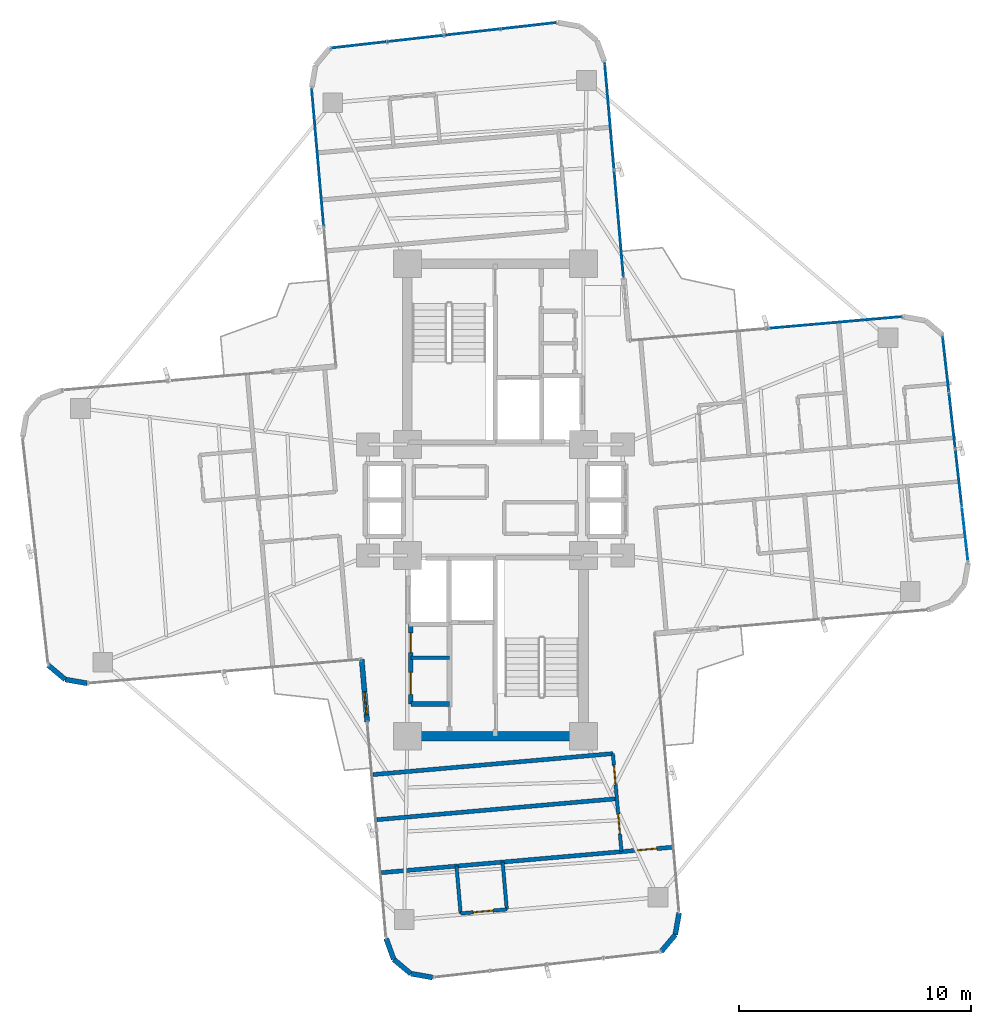
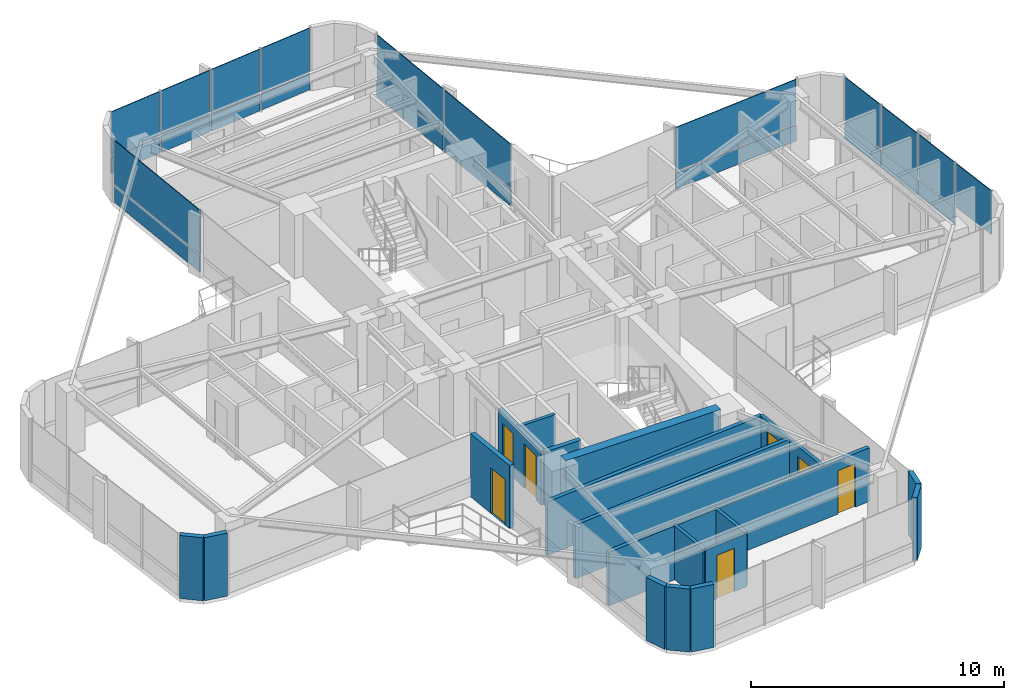
# One storey, part 20 of 24: 23 plates, 19 walls, 7 doors, 7 openings, 5 elements without a shape of their own.
"""IFC4 building model written with IfcOpenShell, lengths in metres."""

from ifc_helpers import new_model, si_unit, direction, frame, frame_2d, origin, origin_2d, place, context, subcontext, project, spatial, rectangle, extrude, source, transform, mapped, material, layer, layer_set, type_object, element, fill, aggregate, save


model = new_model("IFC4")

# Units and contexts
model_context = context("Model", 3, precision=1e-05, world=origin(), true_north=direction((0.0, 1.0)))
body_context = subcontext(model_context, "Body", "Model", "MODEL_VIEW")
ifc_project = project(units=[si_unit("LENGTHUNIT", "METRE"), si_unit("AREAUNIT", "SQUARE_METRE"), si_unit("VOLUMEUNIT", "CUBIC_METRE"), si_unit("PLANEANGLEUNIT", "RADIAN"), si_unit("MASSUNIT", "GRAM", prefix="KILO")], contexts=[model_context])

# Site, building, storey
site_placement = place(None, origin())
site = spatial("IfcSite", under=ifc_project, at=site_placement, CompositionType="ELEMENT")
building_placement = place(site_placement, origin())
building = spatial("IfcBuilding", under=site, at=building_placement, Name="Sahyath Konkavel Grand Hotel", CompositionType="ELEMENT")
storey_placement = place(building_placement, frame((0.0, 0.0, 167.35009765625)))
storey = spatial("IfcBuildingStorey", under=building, at=storey_placement, Name="L46", CompositionType="ELEMENT", Elevation=167.35009765625)

# Curtain wall, plates
ifc_material_1 = material(Name="Anodised Bronze Aluminium & Low-E Glazing", Category="aluminium")
curtain_wall_type = type_object("IfcCurtainWallType", Name="CW-ZONE3", PredefinedType="NOTDEFINED", material=ifc_material_1)
curtain_wall_1_placement = place(storey_placement, origin())
curtain_wall_1 = element("IfcCurtainWall", 1, at=curtain_wall_1_placement, inside=storey, type_object=curtain_wall_type, Name="L46 Unitised Curtain Wall F4", PredefinedType="NOTDEFINED")
ifc_material_2 = material(Name="Warm Buff Sandstone Cladding", Category="masonry")
ifc_layer_1 = layer(ifc_material_2, 0.074951171875)
ifc_layer_set_1 = layer_set([ifc_layer_1], Name="Warm Buff Sandstone Cladding")
plate_type_1 = type_object("IfcPlateType", Name="PNL-SPANDREL-STONE", PredefinedType="SHEET", material=ifc_layer_set_1)
shared_shape_1 = source(origin(), body_context, "Body", "SweptSolid", [
    extrude(rectangle(XDim=2.382080078125, YDim=0.074951171875, at=origin_2d()), origin(), (0.0, 0.0, 1.0), 0.77001953125),
])
plate_1_placement = place(storey_placement, frame((19.99755859375, 0.978515625, 0.039794921875), z_axis=(0.0, 0.0, 1.0), x_axis=(-0.111989252568, 0.993709417943, 0.0)))
plate_1 = element("IfcPlate", 2, at=plate_1_placement, type_object=plate_type_1, Name="L46 Sandstone Relief Spandrel Panel F4-1", PredefinedType="SHEET", context=body_context, shape_type="MappedRepresentation", body=[
    mapped(shared_shape_1, transform((0.0, 0.0, 0.0), scale=1.0)),
])
plate_2_placement = place(storey_placement, frame((19.7216796875, 3.425048828125, 0.039794921875), z_axis=(0.0, 0.0, 1.0), x_axis=(-0.111989252568, 0.993709417943, 0.0)))
plate_2 = element("IfcPlate", 3, at=plate_2_placement, type_object=plate_type_1, Name="L46 Sandstone Relief Spandrel Panel F4-2", PredefinedType="SHEET", context=body_context, shape_type="MappedRepresentation", body=[
    mapped(shared_shape_1, transform((0.0, 0.0, 0.0), scale=1.0)),
])
plate_3_placement = place(storey_placement, frame((19.446044921875, 5.87158203125, 0.039794921875), z_axis=(0.0, 0.0, 1.0), x_axis=(-0.111989252568, 0.993709417943, 0.0)))
plate_3 = element("IfcPlate", 4, at=plate_3_placement, type_object=plate_type_1, Name="L46 Sandstone Relief Spandrel Panel F4-3", PredefinedType="SHEET", context=body_context, shape_type="MappedRepresentation", body=[
    mapped(shared_shape_1, transform((0.0, 0.0, 0.0), scale=1.0)),
])

curtain_wall_2_placement = place(storey_placement, origin())
curtain_wall_2 = element("IfcCurtainWall", 5, at=curtain_wall_2_placement, inside=storey, type_object=curtain_wall_type, Name="L46 Unitised Curtain Wall F12", PredefinedType="NOTDEFINED")
plate_4_placement = place(storey_placement, frame((1.45068359375, 20.47265625, 0.039794921875), z_axis=(0.0, 0.0, 1.0), x_axis=(-0.993707463211, -0.112006596052, 0.0)))
plate_4 = element("IfcPlate", 6, at=plate_4_placement, type_object=plate_type_1, Name="L46 Sandstone Relief Spandrel Panel F12-0", PredefinedType="SHEET", context=body_context, shape_type="MappedRepresentation", body=[
    mapped(shared_shape_1, transform((0.0, 0.0, 0.0), scale=1.0)),
])
plate_5_placement = place(storey_placement, frame((-0.995849609375, 20.197021484375, 0.039794921875), z_axis=(0.0, 0.0, 1.0), x_axis=(-0.993707463211, -0.112006596052, 0.0)))
plate_5 = element("IfcPlate", 7, at=plate_5_placement, type_object=plate_type_1, Name="L46 Sandstone Relief Spandrel Panel F12-1", PredefinedType="SHEET", context=body_context, shape_type="MappedRepresentation", body=[
    mapped(shared_shape_1, transform((0.0, 0.0, 0.0), scale=1.0)),
])
plate_6_placement = place(storey_placement, frame((-3.4423828125, 19.921142578125, 0.039794921875), z_axis=(0.0, 0.0, 1.0), x_axis=(-0.993707463211, -0.112006596052, 0.0)))
plate_6 = element("IfcPlate", 8, at=plate_6_placement, type_object=plate_type_1, Name="L46 Sandstone Relief Spandrel Panel F12-2", PredefinedType="SHEET", context=body_context, shape_type="MappedRepresentation", body=[
    mapped(shared_shape_1, transform((0.0, 0.0, 0.0), scale=1.0)),
])
plate_7_placement = place(storey_placement, frame((-5.888916015625, 19.6455078125, 0.039794921875), z_axis=(0.0, 0.0, 1.0), x_axis=(-0.993707463211, -0.112006596052, 0.0)))
plate_7 = element("IfcPlate", 9, at=plate_7_placement, type_object=plate_type_1, Name="L46 Sandstone Relief Spandrel Panel F12-3", PredefinedType="SHEET", context=body_context, shape_type="MappedRepresentation", body=[
    mapped(shared_shape_1, transform((0.0, 0.0, 0.0), scale=1.0)),
])

# Curtain wall, plate
curtain_wall_3_placement = place(storey_placement, origin())
curtain_wall_3 = element("IfcCurtainWall", 10, at=curtain_wall_3_placement, inside=storey, type_object=curtain_wall_type, Name="L46 Unitised Curtain Wall F7", PredefinedType="NOTDEFINED")
shared_shape_2 = source(origin(), body_context, "Body", "SweptSolid", [
    extrude(rectangle(XDim=5.830078125, YDim=0.074951171875, at=origin_2d()), origin(), (0.0, 0.0, 1.0), 0.77001953125),
])
plate_8_placement = place(storey_placement, frame((14.6435546875, 7.655517578125, 0.039794921875), z_axis=(0.0, 0.0, 1.0), x_axis=(-0.996194698092, -0.087155742748, 0.0)))
plate_8 = element("IfcPlate", 11, at=plate_8_placement, type_object=plate_type_1, Name="L46 Sandstone Relief Spandrel Panel F7-0", PredefinedType="SHEET", context=body_context, shape_type="MappedRepresentation", body=[
    mapped(shared_shape_2, transform((0.0, 0.0, 0.0), scale=1.0)),
])

# Curtain wall, plates
curtain_wall_4_placement = place(storey_placement, origin())
curtain_wall_4 = element("IfcCurtainWall", 12, at=curtain_wall_4_placement, inside=storey, type_object=curtain_wall_type, Name="L46 Unitised Curtain Wall F8", PredefinedType="NOTDEFINED")
shared_shape_3 = source(origin(), body_context, "Body", "SweptSolid", [
    extrude(rectangle(XDim=4.580078125, YDim=0.074951171875, at=origin_2d()), origin(), (0.0, 0.0, 1.0), 0.77001953125),
])
plate_9_placement = place(storey_placement, frame((5.33056640625, 11.929931640625, 0.039794921875), z_axis=(0.0, 0.0, 1.0), x_axis=(-0.087155742748, 0.996194698092, 0.0)))
plate_9 = element("IfcPlate", 13, at=plate_9_placement, type_object=plate_type_1, Name="L46 Sandstone Relief Spandrel Panel F8-0", PredefinedType="SHEET", context=body_context, shape_type="MappedRepresentation", body=[
    mapped(shared_shape_3, transform((0.0, 0.0, 0.0), scale=1.0)),
])
plate_10_placement = place(storey_placement, frame((4.92431640625, 16.572265625, 0.039794921875), z_axis=(0.0, 0.0, 1.0), x_axis=(-0.087155742748, 0.996194698092, 0.0)))
plate_10 = element("IfcPlate", 14, at=plate_10_placement, type_object=plate_type_1, Name="L46 Sandstone Relief Spandrel Panel F8-1", PredefinedType="SHEET", context=body_context, shape_type="MappedRepresentation", body=[
    mapped(shared_shape_3, transform((0.0, 0.0, 0.0), scale=1.0)),
])

# Curtain wall, plate
curtain_wall_5_placement = place(storey_placement, origin())
curtain_wall_5 = element("IfcCurtainWall", 15, at=curtain_wall_5_placement, inside=storey, type_object=curtain_wall_type, Name="L46 Unitised Curtain Wall F15", PredefinedType="NOTDEFINED")
shared_shape_4 = source(origin(), body_context, "Body", "SweptSolid", [
    extrude(rectangle(XDim=5.929931640625, YDim=0.074951171875, at=origin_2d()), origin(), (0.0, 0.0, 1.0), 0.77001953125),
])
plate_11_placement = place(storey_placement, frame((-7.66845703125, 14.79296875, 0.039794921875), z_axis=(0.0, 0.0, 1.0), x_axis=(0.087155742748, -0.996194698092, 0.0)))
plate_11 = element("IfcPlate", 16, at=plate_11_placement, type_object=plate_type_1, Name="L46 Sandstone Relief Spandrel Panel F15-0", PredefinedType="SHEET", context=body_context, shape_type="MappedRepresentation", body=[
    mapped(shared_shape_4, transform((0.0, 0.0, 0.0), scale=1.0)),
])

# Plate
ifc_material_3 = material(Name="Low-E Solar Control Double Glazing", Category="glass")
ifc_layer_2 = layer(ifc_material_3, 0.035888671875)
ifc_layer_set_2 = layer_set([ifc_layer_2], Name="Low-E Solar Control Double Glazing")
plate_type_2 = type_object("IfcPlateType", Name="PNL-VISION-LOWE", PredefinedType="CURTAIN_PANEL", material=ifc_layer_set_2)
shared_shape_5 = source(origin(), body_context, "Body", "SweptSolid", [
    extrude(rectangle(XDim=2.382080078125, YDim=0.035888671875, at=origin_2d()), origin(), (0.0, 0.0, 1.0), 2.1201171875),
])
plate_12_placement = place(storey_placement, frame((20.2734375, -1.468017578125, 0.889892578125), z_axis=(0.0, 0.0, 1.0), x_axis=(-0.111989252568, 0.993709417943, 0.0)))
plate_12 = element("IfcPlate", 17, at=plate_12_placement, type_object=plate_type_2, Name="L46 Low-E Vision Glazing Panel F4-0", PredefinedType="CURTAIN_PANEL", context=body_context, shape_type="MappedRepresentation", body=[
    mapped(shared_shape_5, transform((0.0, 0.0, 0.0), scale=1.0)),
])

plate_13_placement = place(storey_placement, frame((19.99755859375, 0.978515625, 0.889892578125), z_axis=(0.0, 0.0, 1.0), x_axis=(-0.111989252568, 0.993709417943, 0.0)))
plate_13 = element("IfcPlate", 18, at=plate_13_placement, type_object=plate_type_2, Name="L46 Low-E Vision Glazing Panel F4-1", PredefinedType="CURTAIN_PANEL", context=body_context, shape_type="MappedRepresentation", body=[
    mapped(shared_shape_5, transform((0.0, 0.0, 0.0), scale=1.0)),
])

plate_14_placement = place(storey_placement, frame((19.7216796875, 3.425048828125, 0.889892578125), z_axis=(0.0, 0.0, 1.0), x_axis=(-0.111989252568, 0.993709417943, 0.0)))
plate_14 = element("IfcPlate", 19, at=plate_14_placement, type_object=plate_type_2, Name="L46 Low-E Vision Glazing Panel F4-2", PredefinedType="CURTAIN_PANEL", context=body_context, shape_type="MappedRepresentation", body=[
    mapped(shared_shape_5, transform((0.0, 0.0, 0.0), scale=1.0)),
])

plate_15_placement = place(storey_placement, frame((19.446044921875, 5.87158203125, 0.889892578125), z_axis=(0.0, 0.0, 1.0), x_axis=(-0.111989252568, 0.993709417943, 0.0)))
plate_15 = element("IfcPlate", 20, at=plate_15_placement, type_object=plate_type_2, Name="L46 Low-E Vision Glazing Panel F4-3", PredefinedType="CURTAIN_PANEL", context=body_context, shape_type="MappedRepresentation", body=[
    mapped(shared_shape_5, transform((0.0, 0.0, 0.0), scale=1.0)),
])

aggregate(curtain_wall_1, [plate_12, plate_1, plate_13, plate_2, plate_14, plate_3, plate_15])

plate_16_placement = place(storey_placement, frame((1.45068359375, 20.47265625, 0.889892578125), z_axis=(0.0, 0.0, 1.0), x_axis=(-0.993707463211, -0.112006596052, 0.0)))
plate_16 = element("IfcPlate", 21, at=plate_16_placement, type_object=plate_type_2, Name="L46 Low-E Vision Glazing Panel F12-0", PredefinedType="CURTAIN_PANEL", context=body_context, shape_type="MappedRepresentation", body=[
    mapped(shared_shape_5, transform((0.0, 0.0, 0.0), scale=1.0)),
])

plate_17_placement = place(storey_placement, frame((-0.995849609375, 20.197021484375, 0.889892578125), z_axis=(0.0, 0.0, 1.0), x_axis=(-0.993707463211, -0.112006596052, 0.0)))
plate_17 = element("IfcPlate", 22, at=plate_17_placement, type_object=plate_type_2, Name="L46 Low-E Vision Glazing Panel F12-1", PredefinedType="CURTAIN_PANEL", context=body_context, shape_type="MappedRepresentation", body=[
    mapped(shared_shape_5, transform((0.0, 0.0, 0.0), scale=1.0)),
])

plate_18_placement = place(storey_placement, frame((-3.4423828125, 19.921142578125, 0.889892578125), z_axis=(0.0, 0.0, 1.0), x_axis=(-0.993707463211, -0.112006596052, 0.0)))
plate_18 = element("IfcPlate", 23, at=plate_18_placement, type_object=plate_type_2, Name="L46 Low-E Vision Glazing Panel F12-2", PredefinedType="CURTAIN_PANEL", context=body_context, shape_type="MappedRepresentation", body=[
    mapped(shared_shape_5, transform((0.0, 0.0, 0.0), scale=1.0)),
])

plate_19_placement = place(storey_placement, frame((-5.888916015625, 19.6455078125, 0.889892578125), z_axis=(0.0, 0.0, 1.0), x_axis=(-0.993707463211, -0.112006596052, 0.0)))
plate_19 = element("IfcPlate", 24, at=plate_19_placement, type_object=plate_type_2, Name="L46 Low-E Vision Glazing Panel F12-3", PredefinedType="CURTAIN_PANEL", context=body_context, shape_type="MappedRepresentation", body=[
    mapped(shared_shape_5, transform((0.0, 0.0, 0.0), scale=1.0)),
])

aggregate(curtain_wall_2, [plate_4, plate_16, plate_5, plate_17, plate_6, plate_18, plate_7, plate_19])

shared_shape_6 = source(origin(), body_context, "Body", "SweptSolid", [
    extrude(rectangle(XDim=5.830078125, YDim=0.035888671875, at=origin_2d()), origin(), (0.0, 0.0, 1.0), 2.1201171875),
])
plate_20_placement = place(storey_placement, frame((14.6435546875, 7.655517578125, 0.889892578125), z_axis=(0.0, 0.0, 1.0), x_axis=(-0.996194698092, -0.087155742748, 0.0)))
plate_20 = element("IfcPlate", 25, at=plate_20_placement, type_object=plate_type_2, Name="L46 Low-E Vision Glazing Panel F7-0", PredefinedType="CURTAIN_PANEL", context=body_context, shape_type="MappedRepresentation", body=[
    mapped(shared_shape_6, transform((0.0, 0.0, 0.0), scale=1.0)),
])

aggregate(curtain_wall_3, [plate_8, plate_20])

shared_shape_7 = source(origin(), body_context, "Body", "SweptSolid", [
    extrude(rectangle(XDim=4.580078125, YDim=0.035888671875, at=origin_2d()), origin(), (0.0, 0.0, 1.0), 2.1201171875),
])
plate_21_placement = place(storey_placement, frame((5.33056640625, 11.929931640625, 0.889892578125), z_axis=(0.0, 0.0, 1.0), x_axis=(-0.087155742748, 0.996194698092, 0.0)))
plate_21 = element("IfcPlate", 26, at=plate_21_placement, type_object=plate_type_2, Name="L46 Low-E Vision Glazing Panel F8-0", PredefinedType="CURTAIN_PANEL", context=body_context, shape_type="MappedRepresentation", body=[
    mapped(shared_shape_7, transform((0.0, 0.0, 0.0), scale=1.0)),
])

plate_22_placement = place(storey_placement, frame((4.92431640625, 16.572265625, 0.889892578125), z_axis=(0.0, 0.0, 1.0), x_axis=(-0.087155742748, 0.996194698092, 0.0)))
plate_22 = element("IfcPlate", 27, at=plate_22_placement, type_object=plate_type_2, Name="L46 Low-E Vision Glazing Panel F8-1", PredefinedType="CURTAIN_PANEL", context=body_context, shape_type="MappedRepresentation", body=[
    mapped(shared_shape_7, transform((0.0, 0.0, 0.0), scale=1.0)),
])

aggregate(curtain_wall_4, [plate_9, plate_21, plate_10, plate_22])

shared_shape_8 = source(origin(), body_context, "Body", "SweptSolid", [
    extrude(rectangle(XDim=5.929931640625, YDim=0.035888671875, at=origin_2d()), origin(), (0.0, 0.0, 1.0), 2.1201171875),
])
plate_23_placement = place(storey_placement, frame((-7.66845703125, 14.79296875, 0.889892578125), z_axis=(0.0, 0.0, 1.0), x_axis=(0.087155742748, -0.996194698092, 0.0)))
plate_23 = element("IfcPlate", 28, at=plate_23_placement, type_object=plate_type_2, Name="L46 Low-E Vision Glazing Panel F15-0", PredefinedType="CURTAIN_PANEL", context=body_context, shape_type="MappedRepresentation", body=[
    mapped(shared_shape_8, transform((0.0, 0.0, 0.0), scale=1.0)),
])

aggregate(curtain_wall_5, [plate_11, plate_23])

# Walls
ifc_material_4 = material(Name="Concrete C50/60", Category="concrete")
ifc_layer_3 = layer(ifc_material_4, 0.419921875)
ifc_layer_set_3 = layer_set([ifc_layer_3], Name="Concrete C50/60")
wall_type_1 = type_object("IfcWallType", Name="CWALL-420", PredefinedType="SHEAR", material=ifc_layer_set_3)
wall_1_placement = place(storey_placement, frame((-3.550048828125, -10.199951171875, 0.0), z_axis=(0.0, 0.0, 1.0), x_axis=(1.0, 0.0, 0.0)))
element("IfcWall", 29, at=wall_1_placement, inside=storey, type_object=wall_type_1, Name="L46 South Core Shear Wall S", PredefinedType="SHEAR", context=body_context, shape_type="SweptSolid", body=[
    extrude(rectangle(XDim=7.10009765625, YDim=0.419921875, at=frame_2d((3.550048828125, 0.0))), origin(), (0.0, 0.0, 1.0), 3.0498046875),
])
ifc_material_5 = material(Name="Warm Buff Sandstone Insulated Concrete C40/50", Category="masonry")
ifc_layer_4 = layer(ifc_material_5, 0.219970703125)
ifc_layer_set_4 = layer_set([ifc_layer_4], Name="Warm Buff Sandstone Insulated Concrete C40/50")
wall_type_2 = type_object("IfcWallType", Name="WLL-BALC-THRESH", PredefinedType="STANDARD", material=ifc_layer_set_4)
wall_2_placement = place(storey_placement, frame((-19.3037109375, -7.134521484375, 0.0), z_axis=(0.0, 0.0, 1.0), x_axis=(0.766001159887, -0.642839189107, 0.0)))
element("IfcWall", 30, at=wall_2_placement, inside=storey, type_object=wall_type_2, Name="L46 Rounded Corner Sandstone Pier 21", PredefinedType="STANDARD", context=body_context, shape_type="SweptSolid", body=[
    extrude(rectangle(XDim=0.95751953125, YDim=0.219970703125, at=frame_2d((0.478759765625, 0.0))), origin(), (0.0, 0.0, 1.0), 3.0498046875),
])
wall_3_placement = place(storey_placement, frame((-18.5703125, -7.75, 0.0), z_axis=(0.0, 0.0, 1.0), x_axis=(0.984770724397, -0.173858046606, 0.0)))
element("IfcWall", 31, at=wall_3_placement, inside=storey, type_object=wall_type_2, Name="L46 Rounded Corner Sandstone Pier 22", PredefinedType="STANDARD", context=body_context, shape_type="SweptSolid", body=[
    extrude(rectangle(XDim=0.957763671875, YDim=0.219970703125, at=frame_2d((0.47900390625, 0.0))), origin(), (0.0, 0.0, 1.0), 3.0498046875),
])

# Wall, opening, door
wall_4_placement = place(storey_placement, frame((-5.7724609375, -6.87939453125, 0.0), z_axis=(0.0, 0.0, 1.0), x_axis=(0.087168071984, -0.996193619346, 0.0)))
wall_4 = element("IfcWall", 32, at=wall_4_placement, inside=storey, type_object=wall_type_2, Name="L46 Winter-Garden Threshold Wall 24", PredefinedType="STANDARD", context=body_context, shape_type="SweptSolid", body=[
    extrude(rectangle(XDim=2.699951171875, YDim=0.219970703125, at=frame_2d((1.35009765625, 0.0))), origin(), (0.0, 0.0, 1.0), 3.0498046875),
])
opening_1_placement = place(wall_4_placement, frame((1.39990234375, 0.0, 0.0)))
opening_1 = element("IfcOpeningElement", 33, at=opening_1_placement, cuts=wall_4, Name="Opening D-TR1", PredefinedType="OPENING", context=body_context, shape_type="SweptSolid", body=[
    extrude(rectangle(XDim=1.0, YDim=2.199951171875, at=frame_2d((0.5, 1.10009765625))), frame((0.0, 0.1201171875, 0.0), z_axis=(0.0, -1.0, 0.0), x_axis=(1.0, 0.0, 0.0)), (0.0, 0.0, 1.0), 0.239990234375),
])
door_type_1 = type_object("IfcDoorType", Name="DR-TERRACE-1000", OperationType="NOTDEFINED", PredefinedType="DOOR", material=ifc_material_1)
shared_shape_9 = source(origin(), body_context, "Body", "SweptSolid", [
    extrude(rectangle(XDim=1.0, YDim=0.050048828125, at=origin_2d()), origin(), (0.0, 0.0, 1.0), 2.199951171875),
])
door_1_placement = place(opening_1_placement, frame((0.5, 0.0, 0.0)))
door_1 = element("IfcDoor", 34, at=door_1_placement, inside=storey, type_object=door_type_1, Name="L46 Winter-Garden Terrace Door 24", OperationType="SINGLE_SWING_LEFT", OverallHeight=2.199951171875, OverallWidth=1.0, PredefinedType="DOOR", context=body_context, shape_type="MappedRepresentation", body=[
    mapped(shared_shape_9, transform((0.0, 0.0, 0.0), scale=1.0)),
])
fill(opening_1, door_1)

# Walls
wall_5_placement = place(storey_placement, frame((-4.7177734375, -18.93310546875, 0.0), z_axis=(0.0, 0.0, 1.0), x_axis=(0.34188635151, -0.939741306239, 0.0)))
element("IfcWall", 35, at=wall_5_placement, inside=storey, type_object=wall_type_2, Name="L46 Rounded Corner Sandstone Pier 25", PredefinedType="STANDARD", context=body_context, shape_type="SweptSolid", body=[
    extrude(rectangle(XDim=0.95751953125, YDim=0.219970703125, at=frame_2d((0.478759765625, 0.0))), origin(), (0.0, 0.0, 1.0), 3.0498046875),
])
for number, where, z_axis, x_axis, name in (
    (36, (-4.390380859375, -19.8330078125, 0.0), (0.0, 0.0, 1.0), (0.765980978054, -0.642863236823, 0.0), "L46 Rounded Corner Sandstone Pier 26"),
    (37, (-3.65673828125, -20.44873046875, 0.0), (0.0, 0.0, 1.0), (0.984814340885, -0.173610811841, 0.0), "L46 Rounded Corner Sandstone Pier 27"),
):
    element("IfcWall", number, at=place(storey_placement, frame(where, z_axis=z_axis, x_axis=x_axis)), inside=storey, type_object=wall_type_2, Name=name, PredefinedType="STANDARD", context=body_context, shape_type="SweptSolid", body=[
        extrude(rectangle(XDim=0.957763671875, YDim=0.219970703125, at=frame_2d((0.47900390625, 0.0))), origin(), (0.0, 0.0, 1.0), 3.0498046875),
    ])
for number, where, z_axis, x_axis, name in (
    (38, (7.152099609375, -19.5029296875, 0.0), (0.0, 0.0, 1.0), (0.642713642115, 0.766106503196, 0.0), "L46 Rounded Corner Sandstone Pier 29"),
    (39, (7.767578125, -18.769287109375, 0.0), (0.0, 0.0, 1.0), (0.173654409999, 0.984806654064, 0.0), "L46 Rounded Corner Sandstone Pier 30"),
):
    element("IfcWall", number, at=place(storey_placement, frame(where, z_axis=z_axis, x_axis=x_axis)), inside=storey, type_object=wall_type_2, Name=name, PredefinedType="STANDARD", context=body_context, shape_type="SweptSolid", body=[
        extrude(rectangle(XDim=0.95751953125, YDim=0.219970703125, at=frame_2d((0.478759765625, 0.0))), origin(), (0.0, 0.0, 1.0), 3.0498046875),
    ])

# Wall, openings, doors
ifc_material_6 = material(Name="Concrete C40/50", Category="concrete")
ifc_layer_5 = layer(ifc_material_6, 0.199951171875)
ifc_layer_set_5 = layer_set([ifc_layer_5], Name="Concrete C40/50")
wall_type_3 = type_object("IfcWallType", Name="WLL-CORE-200", PredefinedType="SOLIDWALL", material=ifc_layer_set_5)
wall_6_placement = place(storey_placement, frame((-3.64990234375, -8.81005859375, 0.0), z_axis=(0.0, 0.0, 1.0), x_axis=(0.0, 1.0, 0.0)))
wall_6 = element("IfcWall", 40, at=wall_6_placement, inside=storey, type_object=wall_type_3, Name="L46 Reclaimed South Core Wall W", PredefinedType="SOLIDWALL", context=body_context, shape_type="SweptSolid", body=[
    extrude(rectangle(XDim=3.43017578125, YDim=0.199951171875, at=frame_2d((1.715087890625, 0.0))), origin(), (0.0, 0.0, 1.0), 2.599853515625),
])
opening_2_placement = place(wall_6_placement, frame((0.419921875, 0.0, 0.0)))
opening_2 = element("IfcOpeningElement", 41, at=opening_2_placement, cuts=wall_6, Name="Opening D-AC95", PredefinedType="OPENING", context=body_context, shape_type="SweptSolid", body=[
    extrude(rectangle(XDim=0.949951171875, YDim=2.14990234375, at=frame_2d((0.47509765625, 1.074951171875))), frame((0.0, 0.10986328125, 0.0), z_axis=(0.0, -1.0, 0.0), x_axis=(1.0, 0.0, 0.0)), (0.0, 0.0, 1.0), 0.219970703125),
])
opening_3_placement = place(wall_6_placement, frame((2.219970703125, 0.0, 0.0)))
opening_3 = element("IfcOpeningElement", 42, at=opening_3_placement, cuts=wall_6, Name="Opening D-F06D", PredefinedType="OPENING", context=body_context, shape_type="SweptSolid", body=[
    extrude(rectangle(XDim=0.85009765625, YDim=2.10009765625, at=frame_2d((0.425048828125, 1.050048828125))), frame((0.0, 0.10986328125, 0.0), z_axis=(0.0, -1.0, 0.0), x_axis=(1.0, 0.0, 0.0)), (0.0, 0.0, 1.0), 0.219970703125),
])
ifc_material_7 = material(Name="Accessible Washroom Timber Door", Category="wood")
door_type_2 = type_object("IfcDoorType", Name="DR-ACC-950", OperationType="NOTDEFINED", PredefinedType="DOOR", material=ifc_material_7)
shared_shape_10 = source(origin(), body_context, "Body", "SweptSolid", [
    extrude(rectangle(XDim=0.949951171875, YDim=0.050048828125, at=origin_2d()), origin(), (0.0, 0.0, 1.0), 2.14990234375),
])
door_2_placement = place(opening_2_placement, frame((0.47509765625, 0.0, 0.0)))
door_2 = element("IfcDoor", 43, at=door_2_placement, inside=storey, type_object=door_type_2, Name="L46 Door SC-REC1-D", OperationType="SINGLE_SWING_RIGHT", OverallHeight=2.14990234375, OverallWidth=0.949951171875, PredefinedType="DOOR", context=body_context, shape_type="MappedRepresentation", body=[
    mapped(shared_shape_10, transform((0.0, 0.0, 0.0), scale=1.0)),
])
fill(opening_2, door_2)
ifc_material_8 = material(Name="Fire-Rated Shaft Access Door")
door_type_3 = type_object("IfcDoorType", Name="DR-FD60-850", OperationType="NOTDEFINED", PredefinedType="DOOR", material=ifc_material_8)
shared_shape_11 = source(origin(), body_context, "Body", "SweptSolid", [
    extrude(rectangle(XDim=0.85009765625, YDim=0.050048828125, at=origin_2d()), origin(), (0.0, 0.0, 1.0), 2.10009765625),
])
door_3_placement = place(opening_3_placement, frame((0.425048828125, 0.0, 0.0)))
door_3 = element("IfcDoor", 44, at=door_3_placement, inside=storey, type_object=door_type_3, Name="L46 Door SC-REC2-D", OperationType="SINGLE_SWING_LEFT", OverallHeight=2.10009765625, OverallWidth=0.85009765625, PredefinedType="DOOR", context=body_context, shape_type="MappedRepresentation", body=[
    mapped(shared_shape_11, transform((0.0, 0.0, 0.0), scale=1.0)),
])
fill(opening_3, door_3)

# Walls
wall_7_placement = place(storey_placement, frame((-3.64990234375, -8.81005859375, 0.0), z_axis=(0.0, 0.0, 1.0), x_axis=(1.0, 0.0, 0.0)))
element("IfcWall", 45, at=wall_7_placement, inside=storey, type_object=wall_type_3, Name="L46 Partition SC-REC-S", PredefinedType="SOLIDWALL", context=body_context, shape_type="SweptSolid", body=[
    extrude(rectangle(XDim=1.669921875, YDim=0.199951171875, at=frame_2d((0.8349609375, 0.0))), origin(), (0.0, 0.0, 1.0), 2.599853515625),
])
ifc_material_9 = material(Name="Twin-Stud Acoustic Gypsum Plasterboard Partition")
ifc_layer_6 = layer(ifc_material_9, 0.179931640625)
ifc_layer_set_6 = layer_set([ifc_layer_6], Name="Twin-Stud Acoustic Gypsum Plasterboard Partition")
wall_type_4 = type_object("IfcWallType", Name="WLL-DEMISE-180", PredefinedType="PARTITIONING", material=ifc_layer_set_6)
for number, where, z_axis, x_axis, name in (
    (46, (-5.286865234375, -11.85595703125, 0.0), (0.0, 0.0, 1.0), (0.996194023261, 0.087163455754, 0.0), "L46 Partition S-G5I"),
    (47, (5.243896484375, -12.89697265625, 0.0), (0.0, 0.0, 1.0), (-0.996194023261, -0.087163455754, 0.0), "L46 Partition S-SD1-DEM"),
):
    element("IfcWall", number, at=place(storey_placement, frame(where, z_axis=z_axis, x_axis=x_axis)), inside=storey, type_object=wall_type_4, Name=name, PredefinedType="PARTITIONING", context=body_context, shape_type="SweptSolid", body=[
        extrude(rectangle(XDim=10.39990234375, YDim=0.179931640625, at=frame_2d((5.199951171875, 0.0))), origin(), (0.0, 0.0, 1.0), 2.599853515625),
    ])

# Wall, opening, door
wall_8_placement = place(storey_placement, frame((-4.91650390625, -16.089599609375, 0.0), z_axis=(0.0, 0.0, 1.0), x_axis=(0.996196619285, 0.087133780622, 0.0)))
wall_8 = element("IfcWall", 48, at=wall_8_placement, inside=storey, type_object=wall_type_4, Name="L46 Partition S-STIP-END", PredefinedType="PARTITIONING", context=body_context, shape_type="SweptSolid", body=[
    extrude(rectangle(XDim=12.60009765625, YDim=0.179931640625, at=frame_2d((6.300048828125, 0.0))), origin(), (0.0, 0.0, 1.0), 2.599853515625),
])
opening_4_placement = place(wall_8_placement, frame((11.074951171875, 0.0, 0.0)))
opening_4 = element("IfcOpeningElement", 49, at=opening_4_placement, cuts=wall_8, Name="Opening D-F06D", PredefinedType="OPENING", context=body_context, shape_type="SweptSolid", body=[
    extrude(rectangle(XDim=0.85009765625, YDim=2.10009765625, at=frame_2d((0.425048828125, 1.050048828125))), frame((0.0, 0.10009765625, 0.0), z_axis=(0.0, -1.0, 0.0), x_axis=(1.0, 0.0, 0.0)), (0.0, 0.0, 1.0), 0.199951171875),
])
door_4_placement = place(opening_4_placement, frame((0.425048828125, 0.0, 0.0)))
door_4 = element("IfcDoor", 50, at=door_4_placement, inside=storey, type_object=door_type_3, Name="L46 Door S-STIP-ED", OperationType="SINGLE_SWING_LEFT", OverallHeight=2.10009765625, OverallWidth=0.85009765625, PredefinedType="DOOR", context=body_context, shape_type="MappedRepresentation", body=[
    mapped(shared_shape_11, transform((0.0, 0.0, 0.0), scale=1.0)),
])
fill(opening_4, door_4)

# Wall
ifc_material_10 = material(Name="Fire-Rated Gypsum Plasterboard Partition")
ifc_layer_7 = layer(ifc_material_10, 0.14990234375)
ifc_layer_set_7 = layer_set([ifc_layer_7], Name="Fire-Rated Gypsum Plasterboard Partition")
wall_type_5 = type_object("IfcWallType", Name="WLL-PART-150", PredefinedType="PARTITIONING", material=ifc_layer_set_7)
wall_9_placement = place(storey_placement, frame((-3.64990234375, -6.81005859375, 0.0), z_axis=(0.0, 0.0, 1.0), x_axis=(1.0, 0.0, 0.0)))
element("IfcWall", 51, at=wall_9_placement, inside=storey, type_object=wall_type_5, Name="L46 Partition SC-REC-M1", PredefinedType="PARTITIONING", context=body_context, shape_type="SweptSolid", body=[
    extrude(rectangle(XDim=1.669921875, YDim=0.14990234375, at=frame_2d((0.8349609375, 0.0))), origin(), (0.0, 0.0, 1.0), 2.599853515625),
])

# Wall, openings, doors
wall_10_placement = place(storey_placement, frame((5.073486328125, -10.949462890625, 0.0), z_axis=(0.0, 0.0, 1.0), x_axis=(0.087199729468, -0.996190848774, 0.0)))
wall_10 = element("IfcWall", 52, at=wall_10_placement, inside=storey, type_object=wall_type_5, Name="L46 Partition S-G5W", PredefinedType="PARTITIONING", context=body_context, shape_type="SweptSolid", body=[
    extrude(rectangle(XDim=4.25, YDim=0.14990234375, at=frame_2d((2.125, 0.0))), origin(), (0.0, 0.0, 1.0), 2.599853515625),
])
opening_5_placement = place(wall_10_placement, frame((0.5029296875, 0.0, 0.0)))
opening_5 = element("IfcOpeningElement", 53, at=opening_5_placement, cuts=wall_10, Name="Opening D-F06D", PredefinedType="OPENING", context=body_context, shape_type="SweptSolid", body=[
    extrude(rectangle(XDim=0.85009765625, YDim=2.10009765625, at=frame_2d((0.425048828125, 1.050048828125))), frame((0.0, 0.0849609375, 0.0), z_axis=(0.0, -1.0, 0.0), x_axis=(1.0, 0.0, 0.0)), (0.0, 0.0, 1.0), 0.169921875),
])
opening_6_placement = place(wall_10_placement, frame((2.6279296875, 0.0, 0.0)))
opening_6 = element("IfcOpeningElement", 54, at=opening_6_placement, cuts=wall_10, Name="Opening D-F06D", PredefinedType="OPENING", context=body_context, shape_type="SweptSolid", body=[
    extrude(rectangle(XDim=0.85009765625, YDim=2.10009765625, at=frame_2d((0.425048828125, 1.050048828125))), frame((0.0, 0.0849609375, 0.0), z_axis=(0.0, -1.0, 0.0), x_axis=(1.0, 0.0, 0.0)), (0.0, 0.0, 1.0), 0.169921875),
])
door_5_placement = place(opening_5_placement, frame((0.425048828125, 0.0, 0.0)))
door_5 = element("IfcDoor", 55, at=door_5_placement, inside=storey, type_object=door_type_3, Name="L46 Door S-SD1-D", OperationType="SINGLE_SWING_RIGHT", OverallHeight=2.10009765625, OverallWidth=0.85009765625, PredefinedType="DOOR", context=body_context, shape_type="MappedRepresentation", body=[
    mapped(shared_shape_11, transform((0.0, 0.0, 0.0), scale=1.0)),
])
fill(opening_5, door_5)
door_6_placement = place(opening_6_placement, frame((0.425048828125, 0.0, 0.0)))
door_6 = element("IfcDoor", 56, at=door_6_placement, inside=storey, type_object=door_type_3, Name="L46 Door S-SD2-D", OperationType="SINGLE_SWING_LEFT", OverallHeight=2.10009765625, OverallWidth=0.85009765625, PredefinedType="DOOR", context=body_context, shape_type="MappedRepresentation", body=[
    mapped(shared_shape_11, transform((0.0, 0.0, 0.0), scale=1.0)),
])
fill(opening_6, door_6)

# Walls
for number, where, z_axis, x_axis, name in (
    (57, (0.313720703125, -15.632080078125, 0.0), (0.0, 0.0, 1.0), (0.087056149438, -0.996203406361, 0.0), "L46 Partition S-STIP-BN"),
    (58, (-1.6787109375, -15.806396484375, 0.0), (0.0, 0.0, 1.0), (0.087174336889, -0.99619307114, 0.0), "L46 Partition S-STIP-BS"),
):
    element("IfcWall", number, at=place(storey_placement, frame(where, z_axis=z_axis, x_axis=x_axis)), inside=storey, type_object=wall_type_5, Name=name, PredefinedType="PARTITIONING", context=body_context, shape_type="SweptSolid", body=[
        extrude(rectangle(XDim=2.050048828125, YDim=0.14990234375, at=frame_2d((1.02490234375, 0.0))), origin(), (0.0, 0.0, 1.0), 2.599853515625),
    ])

# Wall, opening, door
wall_11_placement = place(storey_placement, frame((-1.5, -17.8486328125, 0.0), z_axis=(0.0, 0.0, 1.0), x_axis=(0.996193717496, 0.087166950281, 0.0)))
wall_11 = element("IfcWall", 59, at=wall_11_placement, inside=storey, type_object=wall_type_5, Name="L46 Partition S-STIP-BE", PredefinedType="PARTITIONING", context=body_context, shape_type="SweptSolid", body=[
    extrude(rectangle(XDim=1.999755859375, YDim=0.14990234375, at=frame_2d((1.0, 0.0))), origin(), (0.0, 0.0, 1.0), 2.56982421875),
])
opening_7_placement = place(wall_11_placement, frame((0.550048828125, 0.0, 0.0)))
opening_7 = element("IfcOpeningElement", 60, at=opening_7_placement, cuts=wall_11, Name="Opening D-BT85", PredefinedType="OPENING", context=body_context, shape_type="SweptSolid", body=[
    extrude(rectangle(XDim=0.85009765625, YDim=2.10009765625, at=frame_2d((0.425048828125, 1.050048828125))), frame((0.0, 0.0849609375, 0.0), z_axis=(0.0, -1.0, 0.0), x_axis=(1.0, 0.0, 0.0)), (0.0, 0.0, 1.0), 0.169921875),
])
ifc_material_11 = material(Name="Moisture-Resistant Teak Bathroom Door")
door_type_4 = type_object("IfcDoorType", Name="DR-BATH-850", OperationType="NOTDEFINED", PredefinedType="DOOR", material=ifc_material_11)
door_7_placement = place(opening_7_placement, frame((0.425048828125, 0.0, 0.0)))
door_7 = element("IfcDoor", 61, at=door_7_placement, inside=storey, type_object=door_type_4, Name="L46 Door S-STIP-BD", OperationType="SINGLE_SWING_RIGHT", OverallHeight=2.10009765625, OverallWidth=0.85009765625, PredefinedType="DOOR", context=body_context, shape_type="MappedRepresentation", body=[
    mapped(shared_shape_11, transform((0.0, 0.0, 0.0), scale=1.0)),
])
fill(opening_7, door_7)

save(model, "model.ifc")
